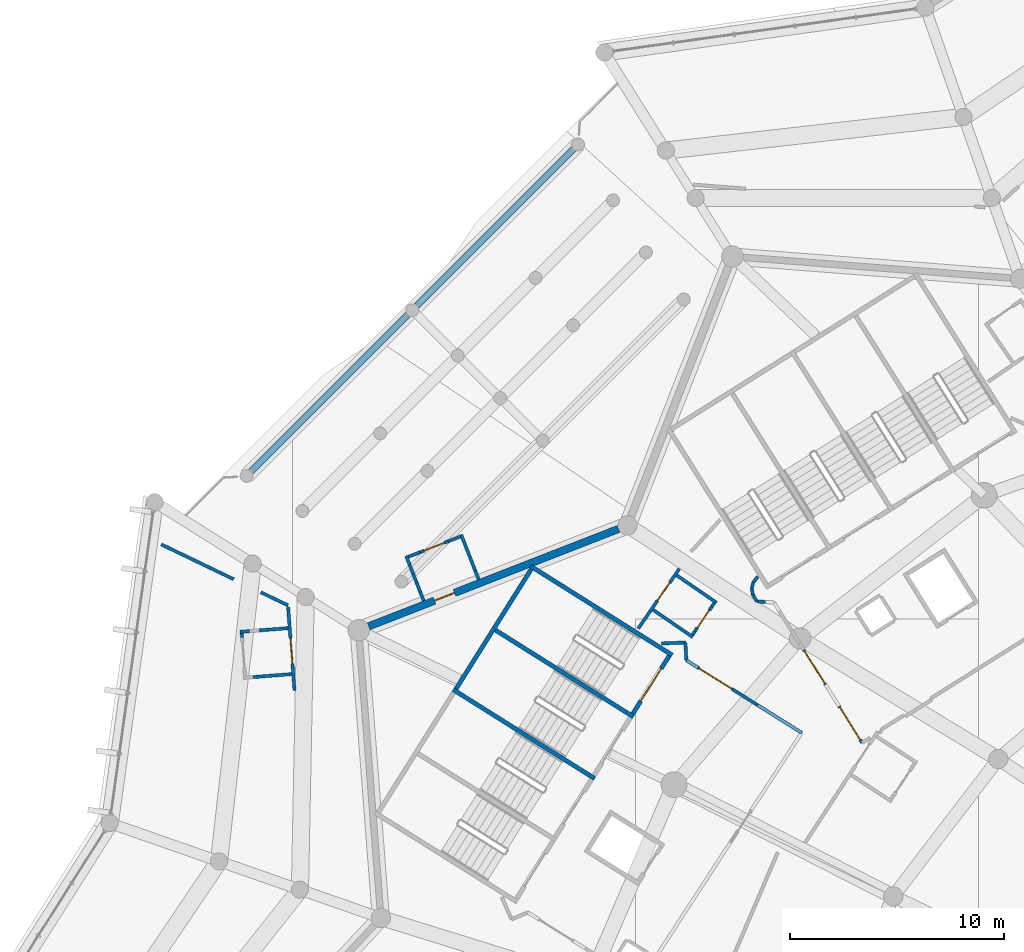
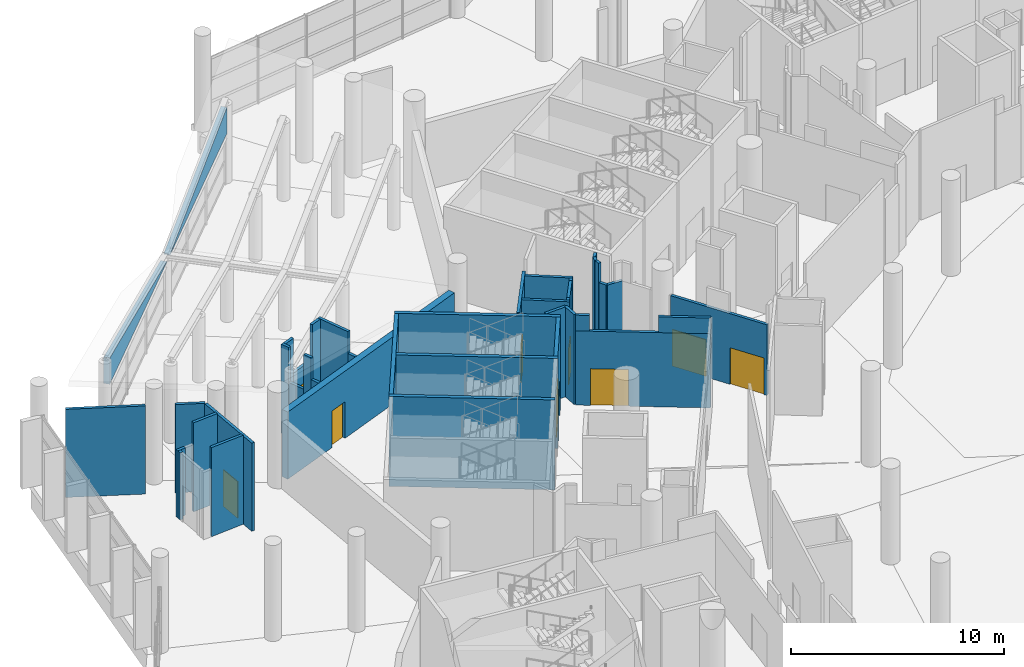
# One storey, part 184 of 271: 42 walls, 9 doors, 9 openings.
"""IFC4 building model written with IfcOpenShell, lengths in metres."""

from ifc_helpers import new_model, si_unit, direction, frame, frame_2d, origin, place, context, subcontext, project, spatial, polyline, rectangle, outline, extrude, material, layer, layer_set, type_object, element, fill, save


model = new_model("IFC4")

# Units and contexts
model_context = context("Model", 3, precision=1e-05, world=origin(), true_north=direction((0.0, 1.0)))
body_context = subcontext(model_context, "Body", "Model", "MODEL_VIEW")
ifc_project = project(units=[si_unit("LENGTHUNIT", "METRE"), si_unit("AREAUNIT", "SQUARE_METRE"), si_unit("VOLUMEUNIT", "CUBIC_METRE"), si_unit("PLANEANGLEUNIT", "RADIAN"), si_unit("MASSUNIT", "GRAM", prefix="KILO")], contexts=[model_context])

# Site, building, storey
site_placement = place(None, origin())
site = spatial("IfcSite", under=ifc_project, at=site_placement, CompositionType="ELEMENT")
building_placement = place(site_placement, origin())
building = spatial("IfcBuilding", under=site, at=building_placement, Name="Meseta Stadium", CompositionType="ELEMENT")
storey_placement = place(building_placement, frame((0.0, 0.0, 6.5)))
storey = spatial("IfcBuildingStorey", under=building, at=storey_placement, Name="L01", CompositionType="ELEMENT", Elevation=6.5)

# Walls
ifc_material_1 = material(Name="Concrete C40/50", Category="concrete")
ifc_layer_1 = layer(ifc_material_1, 0.199951171875)
ifc_layer_set_1 = layer_set([ifc_layer_1], Name="Core divider wall 200")
wall_type_1 = type_object("IfcWallType", Name="Core divider wall 200", PredefinedType="SHEAR", material=ifc_layer_set_1)
wall_1_placement = place(storey_placement, frame((-86.696533203125, 79.5869140625, 0.0), z_axis=(0.0, 0.0, 1.0), x_axis=(0.846713903605, -0.532048461553, 0.0)))
element("IfcWall", 1, at=wall_1_placement, inside=storey, type_object=wall_type_1, Name="Core 14 L01 stair A divider wall", PredefinedType="SHEAR", context=body_context, shape_type="SweptSolid", body=[
    extrude(rectangle(XDim=7.7998046875, YDim=0.199951171875, at=frame_2d((3.89990234375, 0.0))), origin(), (0.0, 0.0, 1.0), 5.14990234375),
])
ifc_material_2 = material(Name="Concrete C40/50", Category="concrete")
ifc_layer_2 = layer(ifc_material_2, 0.199951171875)
ifc_layer_set_2 = layer_set([ifc_layer_2], Name="Core shaft wall 200")
wall_type_2 = type_object("IfcWallType", Name="Core shaft wall 200", PredefinedType="SHEAR", material=ifc_layer_set_2)
for number, where, z_axis, x_axis, name in (
    (2, (-84.8876953125, 82.4658203125, 0.0), (0.0, 0.0, 1.0), (0.846722763703, -0.532034361135, 0.0), "Core 14 L01 stair wall A-side"),
    (3, (-88.505615234375, 76.7080078125, 0.0), (0.0, 0.0, 1.0), (0.846722763703, -0.532034361135, 0.0), "Core 14 L01 stair wall shared"),
):
    element("IfcWall", number, at=place(storey_placement, frame(where, z_axis=z_axis, x_axis=x_axis)), inside=storey, type_object=wall_type_2, Name=name, PredefinedType="SHEAR", context=body_context, shape_type="SweptSolid", body=[
        extrude(rectangle(XDim=7.800048828125, YDim=0.199951171875, at=frame_2d((3.89990234375, 0.0))), origin(), (0.0, 0.0, 1.0), 5.14990234375),
    ])
wall_2_placement = place(storey_placement, frame((-84.856201171875, 82.327880859375, 0.0), z_axis=(0.0, 0.0, 1.0), x_axis=(-0.532038964807, -0.846719870989, 0.0)))
element("IfcWall", 4, at=wall_2_placement, inside=storey, type_object=wall_type_2, Name="Core 14 L01 stair A outer end wall", PredefinedType="SHEAR", context=body_context, shape_type="SweptSolid", body=[
    extrude(rectangle(XDim=6.60009765625, YDim=0.199951171875, at=frame_2d((3.300048828125, 0.0))), origin(), (0.0, 0.0, 1.0), 5.14990234375),
])

# Wall, opening, door
wall_3_placement = place(storey_placement, frame((-78.421142578125, 78.284423828125, 0.0), z_axis=(0.0, 0.0, 1.0), x_axis=(-0.53206841829, -0.84670136309, 0.0)))
wall_3 = element("IfcWall", 5, at=wall_3_placement, inside=storey, type_object=wall_type_2, Name="Core 14 L01 stair A1 inner end wall", PredefinedType="SHEAR", context=body_context, shape_type="SweptSolid", body=[
    extrude(rectangle(XDim=3.199951171875, YDim=0.199951171875, at=frame_2d((1.60009765625, 0.0))), origin(), (0.0, 0.0, 1.0), 5.14990234375),
])
opening_1_placement = place(wall_3_placement, frame((0.699951171875, 0.0, 0.0)))
opening_1 = element("IfcOpeningElement", 6, at=opening_1_placement, cuts=wall_3, Name="Opening D195", PredefinedType="OPENING", context=body_context, shape_type="SweptSolid", body=[
    extrude(rectangle(XDim=1.800048828125, YDim=2.10009765625, at=frame_2d((0.89990234375, 1.050048828125))), frame((0.0, 0.10986328125, 0.0), z_axis=(0.0, -1.0, 0.0), x_axis=(1.0, 0.0, 0.0)), (0.0, 0.0, 1.0), 0.219970703125),
])
ifc_material_3 = material(Name="Steel", Category="steel")
door_type_1 = type_object("IfcDoorType", Name="Stair door 1800x2100", OperationType="DOUBLE_DOOR_SINGLE_SWING", PredefinedType="DOOR", material=ifc_material_3)
door_1_placement = place(opening_1_placement, origin())
door_1 = element("IfcDoor", 7, at=door_1_placement, inside=storey, type_object=door_type_1, Name="Stair A1 door 14 L01", OperationType="DOUBLE_DOOR_SINGLE_SWING", OverallHeight=2.10009765625, OverallWidth=1.800048828125, PredefinedType="DOOR", context=body_context, shape_type="SweptSolid", body=[
    extrude(rectangle(XDim=1.800048828125, YDim=2.10009765625, at=frame_2d((0.89990234375, 1.050048828125))), frame((0.0, 0.02490234375, 0.0), z_axis=(0.0, -1.0, 0.0), x_axis=(1.0, 0.0, 0.0)), (0.0, 0.0, 1.0), 0.050048828125),
])
fill(opening_1, door_1)

# Walls
ifc_material_4 = material(Name="Precast concrete C40/50", Category="concrete")
ifc_layer_3 = layer(ifc_material_4, 0.300048828125)
ifc_layer_set_3 = layer_set([ifc_layer_3], Name="Gate facade panel wall 300")
wall_type_3 = type_object("IfcWallType", Name="Gate facade panel wall 300", PredefinedType="SOLIDWALL", material=ifc_layer_set_3)
wall_4_placement = place(storey_placement, frame((-82.88720703125, 101.925537109375, 2.924560546875), z_axis=(0.0, 0.0, 1.0), x_axis=(-0.707094968215, -0.707118593961, 0.0)))
element("IfcWall", 8, at=wall_4_placement, inside=storey, type_object=wall_type_3, Name="Gate 4 gable panel wall", PredefinedType="SOLIDWALL", context=body_context, shape_type="SweptSolid", body=[
    extrude(outline(polyline([(0.0, 0.0), (10.333740234375, 0.0), (10.333740234375, 0.052001953125), (0.0, 1.498779296875), (0.0, 0.0)])), frame((0.0, 0.14990234375, 0.0), z_axis=(0.0, -1.0, 0.0), x_axis=(1.0, 0.0, 0.0)), (0.0, 0.0, 1.0), 0.300048828125),
])
wall_5_placement = place(storey_placement, frame((-90.618408203125, 94.194091796875, 2.924560546875), z_axis=(0.0, 0.0, 1.0), x_axis=(-0.707118593961, -0.707094968215, 0.0)))
element("IfcWall", 9, at=wall_5_placement, inside=storey, type_object=wall_type_3, Name="Gate 4 gable panel wall", PredefinedType="SOLIDWALL", context=body_context, shape_type="SweptSolid", body=[
    extrude(outline(polyline([(0.0, 0.0), (10.333740234375, 0.0), (10.333740234375, 1.498779296875), (0.0, 0.052001953125), (0.0, 0.0)])), frame((0.0, 0.14990234375, 0.0), z_axis=(0.0, -1.0, 0.0), x_axis=(1.0, 0.0, 0.0)), (0.0, 0.0, 1.0), 0.300048828125),
])

# Wall, opening, door
ifc_material_5 = material(Name="Masonry blockwork", Category="masonry")
ifc_layer_4 = layer(ifc_material_5, 0.14990234375)
ifc_layer_set_4 = layer_set([ifc_layer_4], Name="Partition 150")
wall_type_4 = type_object("IfcWallType", Name="Partition 150", PredefinedType="PARTITIONING", material=ifc_layer_set_4)
wall_6_placement = place(storey_placement, frame((-77.948974609375, 82.345703125, 0.0), z_axis=(0.0, 0.0, 1.0), x_axis=(-0.565957595718, -0.824434351449, 0.0)))
wall_6 = element("IfcWall", 10, at=wall_6_placement, inside=storey, type_object=wall_type_4, Name="Partition L01 L01-cell12-2-0", PredefinedType="PARTITIONING", context=body_context, shape_type="SweptSolid", body=[
    extrude(rectangle(XDim=3.392822265625, YDim=0.14990234375, at=frame_2d((1.6962890625, 0.0))), origin(), (0.0, 0.0, 1.0), 5.14990234375),
])
opening_2_placement = place(wall_6_placement, frame((0.800048828125, 0.0, 0.0)))
opening_2 = element("IfcOpeningElement", 11, at=opening_2_placement, cuts=wall_6, Name="Opening D657", PredefinedType="OPENING", context=body_context, shape_type="SweptSolid", body=[
    extrude(rectangle(XDim=1.0, YDim=2.10009765625, at=frame_2d((0.5, 1.050048828125))), frame((0.0, 0.0849609375, 0.0), z_axis=(0.0, -1.0, 0.0), x_axis=(1.0, 0.0, 0.0)), (0.0, 0.0, 1.0), 0.169921875),
])
ifc_material_6 = material(Name="Steel", Category="steel")
door_type_2 = type_object("IfcDoorType", Name="Fire door 1000x2100 EI2 60", OperationType="NOTDEFINED", PredefinedType="DOOR", material=ifc_material_6)
door_2_placement = place(opening_2_placement, origin())
door_2 = element("IfcDoor", 12, at=door_2_placement, inside=storey, type_object=door_type_2, Name="Door D657", OperationType="SINGLE_SWING_LEFT", OverallHeight=2.10009765625, OverallWidth=1.0, PredefinedType="DOOR", context=body_context, shape_type="SweptSolid", body=[
    extrude(rectangle(XDim=1.0, YDim=2.10009765625, at=frame_2d((0.5, 1.050048828125))), frame((0.0, 0.02490234375, 0.0), z_axis=(0.0, -1.0, 0.0), x_axis=(1.0, 0.0, 0.0)), (0.0, 0.0, 1.0), 0.050048828125),
])
fill(opening_2, door_2)

# Walls
wall_7_placement = place(storey_placement, frame((-102.117919921875, 83.479248046875, 0.0), z_axis=(0.0, 0.0, 1.0), x_axis=(0.901188323719, -0.433427739298, 0.0)))
element("IfcWall", 13, at=wall_7_placement, inside=storey, type_object=wall_type_4, Name="Partition L01 L01-ring13-0", PredefinedType="PARTITIONING", context=body_context, shape_type="SweptSolid", body=[
    extrude(rectangle(XDim=3.74755859375, YDim=0.14990234375, at=frame_2d((1.873779296875, 0.0))), origin(), (0.0, 0.0, 1.0), 5.050048828125),
])
wall_8_placement = place(storey_placement, frame((-97.47412109375, 81.245849609375, 0.0), z_axis=(0.0, 0.0, 1.0), x_axis=(0.901167600811, -0.433470823988, 0.0)))
element("IfcWall", 14, at=wall_8_placement, inside=storey, type_object=wall_type_4, Name="Partition L01 L01-ring13-0", PredefinedType="PARTITIONING", context=body_context, shape_type="SweptSolid", body=[
    extrude(rectangle(XDim=1.4052734375, YDim=0.14990234375, at=frame_2d((0.70263671875, 0.0))), origin(), (0.0, 0.0, 1.0), 5.050048828125),
])

# Wall, opening, door
wall_9_placement = place(storey_placement, frame((-96.201171875, 80.55029296875, 0.0), z_axis=(0.0, 0.0, 1.0), x_axis=(0.076969034149, -0.997033483782, 0.0)))
wall_9 = element("IfcWall", 15, at=wall_9_placement, inside=storey, type_object=wall_type_4, Name="Partition L01 L01-ring13-0", PredefinedType="PARTITIONING", context=body_context, shape_type="SweptSolid", body=[
    extrude(rectangle(XDim=3.904541015625, YDim=0.14990234375, at=frame_2d((1.9521484375, 0.0))), origin(), (0.0, 0.0, 1.0), 5.050048828125),
])
opening_3_placement = place(wall_9_placement, frame((1.449951171875, 0.0, 0.0)))
opening_3 = element("IfcOpeningElement", 16, at=opening_3_placement, cuts=wall_9, Name="Opening D694", PredefinedType="OPENING", context=body_context, shape_type="SweptSolid", body=[
    extrude(rectangle(XDim=1.199951171875, YDim=2.10009765625, at=frame_2d((0.60009765625, 1.050048828125))), frame((0.0, 0.0849609375, 0.0), z_axis=(0.0, -1.0, 0.0), x_axis=(1.0, 0.0, 0.0)), (0.0, 0.0, 1.0), 0.169921875),
])
ifc_material_7 = material(Name="Steel", Category="steel")
door_type_3 = type_object("IfcDoorType", Name="Fire door 1200x2100 EI2 60", OperationType="NOTDEFINED", PredefinedType="DOOR", material=ifc_material_7)
door_3_placement = place(opening_3_placement, origin())
door_3 = element("IfcDoor", 17, at=door_3_placement, inside=storey, type_object=door_type_3, Name="Door D694", OperationType="SINGLE_SWING_RIGHT", OverallHeight=2.10009765625, OverallWidth=1.199951171875, PredefinedType="DOOR", context=body_context, shape_type="SweptSolid", body=[
    extrude(rectangle(XDim=1.199951171875, YDim=2.10009765625, at=frame_2d((0.60009765625, 1.050048828125))), frame((0.0, 0.02490234375, 0.0), z_axis=(0.0, -1.0, 0.0), x_axis=(1.0, 0.0, 0.0)), (0.0, 0.0, 1.0), 0.050048828125),
])
fill(opening_3, door_3)

# Walls
wall_10_placement = place(storey_placement, frame((-74.288818359375, 81.979736328125, 0.0), z_axis=(0.0, 0.0, 1.0), x_axis=(-0.609611338379, -0.792700458004, 0.0)))
element("IfcWall", 18, at=wall_10_placement, inside=storey, type_object=wall_type_4, Name="Stair vestibule wall L01 core 13", PredefinedType="PARTITIONING", context=body_context, shape_type="SweptSolid", body=[
    extrude(rectangle(XDim=0.35595703125, YDim=0.14990234375, at=frame_2d((0.177978515625, 0.0))), origin(), (0.0, 0.0, 1.0), 5.14990234375),
])
wall_11_placement = place(storey_placement, frame((-74.505859375, 81.697509765625, 0.0), z_axis=(0.0, 0.0, 1.0), x_axis=(-0.22210291642, -0.975023227681, 0.0)))
element("IfcWall", 19, at=wall_11_placement, inside=storey, type_object=wall_type_4, Name="Stair vestibule wall L01 core 13", PredefinedType="PARTITIONING", context=body_context, shape_type="SweptSolid", body=[
    extrude(rectangle(XDim=0.28466796875, YDim=0.14990234375, at=frame_2d((0.142333984375, 0.0))), origin(), (0.0, 0.0, 1.0), 5.14990234375),
])
wall_12_placement = place(storey_placement, frame((-74.569091796875, 81.419921875, 0.0), z_axis=(0.0, 0.0, 1.0), x_axis=(0.166082011564, -0.986111943663, 0.0)))
element("IfcWall", 20, at=wall_12_placement, inside=storey, type_object=wall_type_4, Name="Stair vestibule wall L01 core 13", PredefinedType="PARTITIONING", context=body_context, shape_type="SweptSolid", body=[
    extrude(rectangle(XDim=0.2822265625, YDim=0.14990234375, at=frame_2d((0.14111328125, 0.0))), origin(), (0.0, 0.0, 1.0), 5.14990234375),
])
wall_13_placement = place(storey_placement, frame((-74.522216796875, 81.1416015625, 0.0), z_axis=(0.0, 0.0, 1.0), x_axis=(0.499215914633, -0.866477622664, 0.0)))
element("IfcWall", 21, at=wall_13_placement, inside=storey, type_object=wall_type_4, Name="Stair vestibule wall L01 core 13", PredefinedType="PARTITIONING", context=body_context, shape_type="SweptSolid", body=[
    extrude(rectangle(XDim=0.37548828125, YDim=0.14990234375, at=frame_2d((0.187744140625, 0.0))), origin(), (0.0, 0.0, 1.0), 4.050048828125),
])
wall_14_placement = place(storey_placement, frame((-74.334716796875, 80.816162109375, 0.0), z_axis=(0.0, 0.0, 1.0), x_axis=(0.998641436445, -0.052108362245, 0.0)))
element("IfcWall", 22, at=wall_14_placement, inside=storey, type_object=wall_type_4, Name="Stair vestibule wall L01 core 13", PredefinedType="PARTITIONING", context=body_context, shape_type="SweptSolid", body=[
    extrude(rectangle(XDim=0.79638671875, YDim=0.14990234375, at=frame_2d((0.398193359375, 0.0))), origin(), (0.0, 0.0, 1.0), 4.050048828125),
])

# Wall, openings, doors
wall_15_placement = place(storey_placement, frame((-72.142822265625, 78.55224609375, 0.0), z_axis=(0.0, 0.0, 1.0), x_axis=(0.532063867314, -0.846704222913, 0.0)))
wall_15 = element("IfcWall", 23, at=wall_15_placement, inside=storey, type_object=wall_type_4, Name="Stair vestibule wall L01 core 13", PredefinedType="PARTITIONING", context=body_context, shape_type="SweptSolid", body=[
    extrude(rectangle(XDim=5.10791015625, YDim=0.14990234375, at=frame_2d((2.553955078125, 0.0))), origin(), (0.0, 0.0, 1.0), 4.050048828125),
])
opening_4_placement = place(wall_15_placement, frame((3.14990234375, 0.0, 0.0)))
opening_4 = element("IfcOpeningElement", 24, at=opening_4_placement, cuts=wall_15, Name="Opening D774", PredefinedType="OPENING", context=body_context, shape_type="SweptSolid", body=[
    extrude(rectangle(XDim=1.800048828125, YDim=2.10009765625, at=frame_2d((0.89990234375, 1.050048828125))), frame((0.0, 0.0849609375, 0.0), z_axis=(0.0, -1.0, 0.0), x_axis=(1.0, 0.0, 0.0)), (0.0, 0.0, 1.0), 0.169921875),
])
opening_5_placement = place(wall_15_placement, frame((0.050048828125, 0.0, 0.0)))
opening_5 = element("IfcOpeningElement", 25, at=opening_5_placement, cuts=wall_15, Name="Opening D775", PredefinedType="OPENING", context=body_context, shape_type="SweptSolid", body=[
    extrude(rectangle(XDim=1.800048828125, YDim=2.10009765625, at=frame_2d((0.89990234375, 1.050048828125))), frame((0.0, 0.0849609375, 0.0), z_axis=(0.0, -1.0, 0.0), x_axis=(1.0, 0.0, 0.0)), (0.0, 0.0, 1.0), 0.169921875),
])
ifc_material_8 = material(Name="Steel", Category="steel")
door_type_4 = type_object("IfcDoorType", Name="Fire double door 1800x2100 EI2 60", OperationType="DOUBLE_DOOR_SINGLE_SWING", PredefinedType="DOOR", material=ifc_material_8)
door_4_placement = place(opening_4_placement, origin())
door_4 = element("IfcDoor", 26, at=door_4_placement, inside=storey, type_object=door_type_4, Name="Stair vestibule door L01 core 13", OperationType="DOUBLE_DOOR_SINGLE_SWING", OverallHeight=2.10009765625, OverallWidth=1.800048828125, PredefinedType="DOOR", context=body_context, shape_type="SweptSolid", body=[
    extrude(rectangle(XDim=1.800048828125, YDim=2.10009765625, at=frame_2d((0.89990234375, 1.050048828125))), frame((0.0, 0.02490234375, 0.0), z_axis=(0.0, -1.0, 0.0), x_axis=(1.0, 0.0, 0.0)), (0.0, 0.0, 1.0), 0.050048828125),
])
fill(opening_4, door_4)
door_5_placement = place(opening_5_placement, origin())
door_5 = element("IfcDoor", 27, at=door_5_placement, inside=storey, type_object=door_type_4, Name="Stair vestibule door L01 core 13", OperationType="DOUBLE_DOOR_SINGLE_SWING", OverallHeight=2.10009765625, OverallWidth=1.800048828125, PredefinedType="DOOR", context=body_context, shape_type="SweptSolid", body=[
    extrude(rectangle(XDim=1.800048828125, YDim=2.10009765625, at=frame_2d((0.89990234375, 1.050048828125))), frame((0.0, 0.02490234375, 0.0), z_axis=(0.0, -1.0, 0.0), x_axis=(1.0, 0.0, 0.0)), (0.0, 0.0, 1.0), 0.050048828125),
])
fill(opening_5, door_5)

# Wall, opening, door
wall_16_placement = place(storey_placement, frame((-72.239990234375, 74.68994140625, 0.0), z_axis=(0.0, 0.0, 1.0), x_axis=(-0.846711707984, 0.532051955699, 0.0)))
wall_16 = element("IfcWall", 28, at=wall_16_placement, inside=storey, type_object=wall_type_4, Name="Stair vestibule wall L01 core 14", PredefinedType="PARTITIONING", context=body_context, shape_type="SweptSolid", body=[
    extrude(rectangle(XDim=6.355224609375, YDim=0.14990234375, at=frame_2d((3.177734375, 0.0))), origin(), (0.0, 0.0, 1.0), 4.25),
])
opening_6_placement = place(wall_16_placement, frame((3.85009765625, 0.0, 0.0)))
opening_6 = element("IfcOpeningElement", 29, at=opening_6_placement, cuts=wall_16, Name="Opening D778", PredefinedType="OPENING", context=body_context, shape_type="SweptSolid", body=[
    extrude(rectangle(XDim=1.800048828125, YDim=2.10009765625, at=frame_2d((0.89990234375, 1.050048828125))), frame((0.0, 0.0849609375, 0.0), z_axis=(0.0, -1.0, 0.0), x_axis=(1.0, 0.0, 0.0)), (0.0, 0.0, 1.0), 0.169921875),
])
door_6_placement = place(opening_6_placement, origin())
door_6 = element("IfcDoor", 30, at=door_6_placement, inside=storey, type_object=door_type_4, Name="Stair vestibule door L01 core 14", OperationType="DOUBLE_DOOR_SINGLE_SWING", OverallHeight=2.10009765625, OverallWidth=1.800048828125, PredefinedType="DOOR", context=body_context, shape_type="SweptSolid", body=[
    extrude(rectangle(XDim=1.800048828125, YDim=2.10009765625, at=frame_2d((0.89990234375, 1.050048828125))), frame((0.0, 0.02490234375, 0.0), z_axis=(0.0, -1.0, 0.0), x_axis=(1.0, 0.0, 0.0)), (0.0, 0.0, 1.0), 0.050048828125),
])
fill(opening_6, door_6)

# Walls
wall_17_placement = place(storey_placement, frame((-72.239990234375, 74.68994140625, 4.25), z_axis=(0.0, 0.0, 1.0), x_axis=(-0.846727819647, 0.532026314609, 0.0)))
element("IfcWall", 31, at=wall_17_placement, inside=storey, type_object=wall_type_4, Name="Stair vestibule wall L01 core 14", PredefinedType="PARTITIONING", context=body_context, shape_type="SweptSolid", body=[
    extrude(rectangle(XDim=2.444580078125, YDim=0.14990234375, at=frame_2d((1.22216796875, 0.0))), origin(), (0.0, 0.0, 1.0), 0.89990234375),
])
wall_18_placement = place(storey_placement, frame((-77.06640625, 77.722412109375, 4.25), z_axis=(0.0, 0.0, 1.0), x_axis=(-0.846487835431, 0.532408061985, 0.0)))
element("IfcWall", 32, at=wall_18_placement, inside=storey, type_object=wall_type_4, Name="Stair vestibule wall L01 core 14", PredefinedType="PARTITIONING", context=body_context, shape_type="SweptSolid", body=[
    extrude(rectangle(XDim=0.6552734375, YDim=0.14990234375, at=frame_2d((0.32763671875, 0.0))), origin(), (0.0, 0.0, 1.0), 0.89990234375),
])
wall_19_placement = place(storey_placement, frame((-77.62109375, 78.0712890625, 0.0), z_axis=(0.0, 0.0, 1.0), x_axis=(-0.052666933407, 0.998612133977, 0.0)))
element("IfcWall", 33, at=wall_19_placement, inside=storey, type_object=wall_type_4, Name="Stair vestibule wall L01 core 14", PredefinedType="PARTITIONING", context=body_context, shape_type="SweptSolid", body=[
    extrude(rectangle(XDim=0.829833984375, YDim=0.14990234375, at=frame_2d((0.4150390625, 0.0))), origin(), (0.0, 0.0, 1.0), 5.14990234375),
])
wall_20_placement = place(storey_placement, frame((-77.664794921875, 78.89990234375, 0.0), z_axis=(0.0, 0.0, 1.0), x_axis=(-0.999353998407, -0.035938640324, 0.0)))
element("IfcWall", 34, at=wall_20_placement, inside=storey, type_object=wall_type_4, Name="Stair vestibule wall L01 core 14", PredefinedType="PARTITIONING", context=body_context, shape_type="SweptSolid", body=[
    extrude(rectangle(XDim=1.127685546875, YDim=0.14990234375, at=frame_2d((0.56396484375, 0.0))), origin(), (0.0, 0.0, 1.0), 5.14990234375),
])
wall_21_placement = place(storey_placement, frame((-89.87451171875, 80.845458984375, 0.0), z_axis=(0.0, 0.0, 1.0), x_axis=(-0.363519516803, 0.931586582612, 0.0)))
element("IfcWall", 35, at=wall_21_placement, inside=storey, type_object=wall_type_4, Name="Partition L01 G4-L01-0-GateLounge-0 vestibule", PredefinedType="PARTITIONING", context=body_context, shape_type="SweptSolid", body=[
    extrude(rectangle(XDim=0.449951171875, YDim=0.14990234375, at=frame_2d((0.22509765625, 0.0))), origin(), (0.0, 0.0, 1.0), 3.85009765625),
])
wall_22_placement = place(storey_placement, frame((-90.0380859375, 81.2646484375, 0.0), z_axis=(0.0, 0.0, 1.0), x_axis=(-0.363519516803, 0.931586582612, 0.0)))
element("IfcWall", 36, at=wall_22_placement, inside=storey, type_object=wall_type_4, Name="Partition L01 G4-L01-0-GateLounge-0 vestibule", PredefinedType="PARTITIONING", context=body_context, shape_type="SweptSolid", body=[
    extrude(rectangle(XDim=0.449951171875, YDim=0.14990234375, at=frame_2d((0.22509765625, 0.0))), origin(), (0.0, 0.0, 1.0), 5.10009765625),
])
wall_23_placement = place(storey_placement, frame((-90.20166015625, 81.683837890625, 0.0), z_axis=(0.0, 0.0, 1.0), x_axis=(-0.3630485093, 0.931770239863, 0.0)))
element("IfcWall", 37, at=wall_23_placement, inside=storey, type_object=wall_type_4, Name="Partition L01 G4-L01-0-GateLounge-0 vestibule", PredefinedType="PARTITIONING", context=body_context, shape_type="SweptSolid", body=[
    extrude(rectangle(XDim=0.449951171875, YDim=0.14990234375, at=frame_2d((0.22509765625, 0.0))), origin(), (0.0, 0.0, 1.0), 3.106689453125),
])
wall_24_placement = place(storey_placement, frame((-90.364990234375, 82.10302734375, 0.0), z_axis=(0.0, 0.0, 1.0), x_axis=(-0.363335862493, 0.931658226512, 0.0)))
element("IfcWall", 38, at=wall_24_placement, inside=storey, type_object=wall_type_4, Name="Partition L01 G4-L01-0-GateLounge-0 vestibule", PredefinedType="PARTITIONING", context=body_context, shape_type="SweptSolid", body=[
    extrude(rectangle(XDim=0.4501953125, YDim=0.14990234375, at=frame_2d((0.22509765625, 0.0))), origin(), (0.0, 0.0, 1.0), 3.106689453125),
])
wall_25_placement = place(storey_placement, frame((-90.528564453125, 82.5224609375, 0.0), z_axis=(0.0, 0.0, 1.0), x_axis=(-0.3630485093, 0.931770239863, 0.0)))
element("IfcWall", 39, at=wall_25_placement, inside=storey, type_object=wall_type_4, Name="Partition L01 G4-L01-0-GateLounge-0 vestibule", PredefinedType="PARTITIONING", context=body_context, shape_type="SweptSolid", body=[
    extrude(rectangle(XDim=0.449951171875, YDim=0.14990234375, at=frame_2d((0.22509765625, 0.0))), origin(), (0.0, 0.0, 1.0), 5.10009765625),
])
wall_26_placement = place(storey_placement, frame((-87.3125, 81.844482421875, 0.0), z_axis=(0.0, 0.0, 1.0), x_axis=(-0.363519516803, 0.931586582612, 0.0)))
element("IfcWall", 40, at=wall_26_placement, inside=storey, type_object=wall_type_4, Name="Partition L01 G4-L01-0-GateLounge-0 vestibule", PredefinedType="PARTITIONING", context=body_context, shape_type="SweptSolid", body=[
    extrude(rectangle(XDim=0.449951171875, YDim=0.14990234375, at=frame_2d((0.22509765625, 0.0))), origin(), (0.0, 0.0, 1.0), 3.85009765625),
])
wall_27_placement = place(storey_placement, frame((-87.47607421875, 82.263671875, 0.0), z_axis=(0.0, 0.0, 1.0), x_axis=(-0.363238138914, 0.931696331665, 0.0)))
element("IfcWall", 41, at=wall_27_placement, inside=storey, type_object=wall_type_4, Name="Partition L01 G4-L01-0-GateLounge-0 vestibule", PredefinedType="PARTITIONING", context=body_context, shape_type="SweptSolid", body=[
    extrude(rectangle(XDim=1.800048828125, YDim=0.14990234375, at=frame_2d((0.89990234375, 0.0))), origin(), (0.0, 0.0, 1.0), 5.10009765625),
])
wall_28_placement = place(storey_placement, frame((-88.172607421875, 83.843505859375, 0.0), z_axis=(0.0, 0.0, 1.0), x_axis=(-0.93161459523, -0.363447721075, 0.0)))
element("IfcWall", 42, at=wall_28_placement, inside=storey, type_object=wall_type_4, Name="Partition L01 G4-L01-0-GateLounge-0 vestibule", PredefinedType="PARTITIONING", context=body_context, shape_type="SweptSolid", body=[
    extrude(rectangle(XDim=0.599853515625, YDim=0.14990234375, at=frame_2d((0.2998046875, 0.0))), origin(), (0.0, 0.0, 1.0), 5.10009765625),
])

# Wall, opening, door
wall_29_placement = place(storey_placement, frame((-88.7314453125, 83.62548828125, 0.0), z_axis=(0.0, 0.0, 1.0), x_axis=(-0.93170000014, -0.363228729233, 0.0)))
wall_29 = element("IfcWall", 43, at=wall_29_placement, inside=storey, type_object=wall_type_4, Name="Partition L01 G4-L01-0-GateLounge-0 vestibule", PredefinedType="PARTITIONING", context=body_context, shape_type="SweptSolid", body=[
    extrude(rectangle(XDim=1.400146484375, YDim=0.14990234375, at=frame_2d((0.7001953125, 0.0))), origin(), (0.0, 0.0, 1.0), 3.106689453125),
])
opening_7_placement = place(wall_29_placement, frame((0.199951171875, 0.0, 0.0)))
opening_7 = element("IfcOpeningElement", 44, at=opening_7_placement, cuts=wall_29, Name="Opening D815", PredefinedType="OPENING", context=body_context, shape_type="SweptSolid", body=[
    extrude(rectangle(XDim=1.0, YDim=2.10009765625, at=frame_2d((0.5, 1.050048828125))), frame((0.0, 0.0849609375, 0.0), z_axis=(0.0, -1.0, 0.0), x_axis=(1.0, 0.0, 0.0)), (0.0, 0.0, 1.0), 0.169921875),
])
door_7_placement = place(opening_7_placement, origin())
door_7 = element("IfcDoor", 45, at=door_7_placement, inside=storey, type_object=door_type_2, Name="Vestibule door L01 G4-L01-0-GateLounge-0", OperationType="SINGLE_SWING_RIGHT", OverallHeight=2.10009765625, OverallWidth=1.0, PredefinedType="DOOR", context=body_context, shape_type="SweptSolid", body=[
    extrude(rectangle(XDim=1.0, YDim=2.10009765625, at=frame_2d((0.5, 1.050048828125))), frame((0.0, 0.02490234375, 0.0), z_axis=(0.0, -1.0, 0.0), x_axis=(1.0, 0.0, 0.0)), (0.0, 0.0, 1.0), 0.050048828125),
])
fill(opening_7, door_7)

# Walls
wall_30_placement = place(storey_placement, frame((-90.035888671875, 83.116943359375, 0.0), z_axis=(0.0, 0.0, 1.0), x_axis=(-0.931668326541, -0.363309963145, 0.0)))
element("IfcWall", 46, at=wall_30_placement, inside=storey, type_object=wall_type_4, Name="Partition L01 G4-L01-0-GateLounge-0 vestibule", PredefinedType="PARTITIONING", context=body_context, shape_type="SweptSolid", body=[
    extrude(rectangle(XDim=0.60009765625, YDim=0.14990234375, at=frame_2d((0.300048828125, 0.0))), origin(), (0.0, 0.0, 1.0), 5.10009765625),
])
wall_31_placement = place(storey_placement, frame((-78.071044921875, 82.035400390625, 0.0), z_axis=(0.0, 0.0, 1.0), x_axis=(0.824377350286, -0.566040620748, 0.0)))
element("IfcWall", 47, at=wall_31_placement, inside=storey, type_object=wall_type_4, Name="Partition L01 L01-cell12-2-0 vestibule", PredefinedType="PARTITIONING", context=body_context, shape_type="SweptSolid", body=[
    extrude(rectangle(XDim=2.250244140625, YDim=0.14990234375, at=frame_2d((1.125, 0.0))), origin(), (0.0, 0.0, 1.0), 5.14990234375),
])
wall_32_placement = place(storey_placement, frame((-79.1748046875, 80.427734375, 0.0), z_axis=(0.0, 0.0, 1.0), x_axis=(0.824427979221, -0.565966878075, 0.0)))
element("IfcWall", 48, at=wall_32_placement, inside=storey, type_object=wall_type_4, Name="Partition L01 L01-cell12-2-0 vestibule", PredefinedType="PARTITIONING", context=body_context, shape_type="SweptSolid", body=[
    extrude(rectangle(XDim=2.25, YDim=0.14990234375, at=frame_2d((1.125, 0.0))), origin(), (0.0, 0.0, 1.0), 5.14990234375),
])
wall_33_placement = place(storey_placement, frame((-76.3203125, 80.742431640625, 0.0), z_axis=(0.0, 0.0, 1.0), x_axis=(-0.566477008266, -0.824077544352, 0.0)))
element("IfcWall", 49, at=wall_33_placement, inside=storey, type_object=wall_type_4, Name="Partition L01 L01-cell12-2-0 vestibule", PredefinedType="PARTITIONING", context=body_context, shape_type="SweptSolid", body=[
    extrude(rectangle(XDim=0.199951171875, YDim=0.14990234375, at=frame_2d((0.10009765625, 0.0))), origin(), (0.0, 0.0, 1.0), 5.14990234375),
])

# Wall, opening, door
wall_34_placement = place(storey_placement, frame((-76.43359375, 80.57763671875, 0.0), z_axis=(0.0, 0.0, 1.0), x_axis=(-0.56587736417, -0.824489423049, 0.0)))
wall_34 = element("IfcWall", 50, at=wall_34_placement, inside=storey, type_object=wall_type_4, Name="Partition L01 L01-cell12-2-0 vestibule", PredefinedType="PARTITIONING", context=body_context, shape_type="SweptSolid", body=[
    extrude(rectangle(XDim=1.39990234375, YDim=0.14990234375, at=frame_2d((0.699951171875, 0.0))), origin(), (0.0, 0.0, 1.0), 5.14990234375),
])
opening_8_placement = place(wall_34_placement, frame((0.199951171875, 0.0, 0.0)))
opening_8 = element("IfcOpeningElement", 51, at=opening_8_placement, cuts=wall_34, Name="Opening D901", PredefinedType="OPENING", context=body_context, shape_type="SweptSolid", body=[
    extrude(rectangle(XDim=1.0, YDim=2.10009765625, at=frame_2d((0.5, 1.050048828125))), frame((0.0, 0.0849609375, 0.0), z_axis=(0.0, -1.0, 0.0), x_axis=(1.0, 0.0, 0.0)), (0.0, 0.0, 1.0), 0.169921875),
])
door_8_placement = place(opening_8_placement, origin())
door_8 = element("IfcDoor", 52, at=door_8_placement, inside=storey, type_object=door_type_2, Name="Vestibule door L01 L01-cell12-2-0", OperationType="SINGLE_SWING_LEFT", OverallHeight=2.10009765625, OverallWidth=1.0, PredefinedType="DOOR", context=body_context, shape_type="SweptSolid", body=[
    extrude(rectangle(XDim=1.0, YDim=2.10009765625, at=frame_2d((0.5, 1.050048828125))), frame((0.0, 0.02490234375, 0.0), z_axis=(0.0, -1.0, 0.0), x_axis=(1.0, 0.0, 0.0)), (0.0, 0.0, 1.0), 0.050048828125),
])
fill(opening_8, door_8)

# Walls
wall_35_placement = place(storey_placement, frame((-77.225830078125, 79.42333984375, 0.0), z_axis=(0.0, 0.0, 1.0), x_axis=(-0.566477008266, -0.824077544352, 0.0)))
element("IfcWall", 53, at=wall_35_placement, inside=storey, type_object=wall_type_4, Name="Partition L01 L01-cell12-2-0 vestibule", PredefinedType="PARTITIONING", context=body_context, shape_type="SweptSolid", body=[
    extrude(rectangle(XDim=0.199951171875, YDim=0.14990234375, at=frame_2d((0.10009765625, 0.0))), origin(), (0.0, 0.0, 1.0), 5.14990234375),
])
wall_36_placement = place(storey_placement, frame((-96.20068359375, 79.572509765625, 0.0), z_axis=(0.0, 0.0, 1.0), x_axis=(-0.997028903068, -0.077028348333, 0.0)))
element("IfcWall", 54, at=wall_36_placement, inside=storey, type_object=wall_type_4, Name="Partition L01 L01-ring13-0 vestibule", PredefinedType="PARTITIONING", context=body_context, shape_type="SweptSolid", body=[
    extrude(rectangle(XDim=1.35009765625, YDim=0.14990234375, at=frame_2d((0.675048828125, 0.0))), origin(), (0.0, 0.0, 1.0), 5.10009765625),
])
wall_37_placement = place(storey_placement, frame((-97.99560546875, 79.43408203125, 0.0), z_axis=(0.0, 0.0, 1.0), x_axis=(-0.997025681882, -0.077070030935, 0.0)))
element("IfcWall", 55, at=wall_37_placement, inside=storey, type_object=wall_type_4, Name="Partition L01 L01-ring13-0 vestibule", PredefinedType="PARTITIONING", context=body_context, shape_type="SweptSolid", body=[
    extrude(rectangle(XDim=0.44970703125, YDim=0.14990234375, at=frame_2d((0.224853515625, 0.0))), origin(), (0.0, 0.0, 1.0), 3.85009765625),
])
wall_38_placement = place(storey_placement, frame((-96.035400390625, 77.428955078125, 0.0), z_axis=(0.0, 0.0, 1.0), x_axis=(-0.997028098262, -0.077038764768, 0.0)))
element("IfcWall", 56, at=wall_38_placement, inside=storey, type_object=wall_type_4, Name="Partition L01 L01-ring13-0 vestibule", PredefinedType="PARTITIONING", context=body_context, shape_type="SweptSolid", body=[
    extrude(rectangle(XDim=1.800048828125, YDim=0.14990234375, at=frame_2d((0.89990234375, 0.0))), origin(), (0.0, 0.0, 1.0), 5.10009765625),
])
wall_39_placement = place(storey_placement, frame((-98.363525390625, 79.330322265625, 0.0), z_axis=(0.0, 0.0, 1.0), x_axis=(0.076883141957, -0.997040110769, 0.0)))
element("IfcWall", 57, at=wall_39_placement, inside=storey, type_object=wall_type_4, Name="Partition L01 L01-ring13-0 vestibule", PredefinedType="PARTITIONING", context=body_context, shape_type="SweptSolid", body=[
    extrude(rectangle(XDim=0.199951171875, YDim=0.14990234375, at=frame_2d((0.10009765625, 0.0))), origin(), (0.0, 0.0, 1.0), 3.85009765625),
])

# Wall, opening, door
ifc_material_9 = material(Name="White precast concrete C40/50", Category="concrete")
ifc_layer_5 = layer(ifc_material_9, 0.35009765625)
ifc_layer_set_5 = layer_set([ifc_layer_5], Name="Pleated panel wall 350 gate")
wall_type_5 = type_object("IfcWallType", Name="Pleated panel wall 350 gate", PredefinedType="SOLIDWALL", material=ifc_layer_set_5)
wall_40_placement = place(storey_placement, frame((-92.443115234375, 79.656005859375, 0.0), z_axis=(0.0, 0.0, 1.0), x_axis=(0.931674762927, 0.363293457312, 0.0)))
wall_40 = element("IfcWall", 58, at=wall_40_placement, inside=storey, type_object=wall_type_5, Name="Pleated facade panel L01 F25", PredefinedType="SOLIDWALL", context=body_context, shape_type="SweptSolid", body=[
    extrude(rectangle(XDim=12.513671875, YDim=0.35009765625, at=frame_2d((6.2568359375, 0.0))), origin(), (0.0, 0.0, 1.0), 3.85009765625),
])
opening_9_placement = place(wall_40_placement, frame((3.300048828125, 0.0, 0.0)))
opening_9 = element("IfcOpeningElement", 59, at=opening_9_placement, cuts=wall_40, Name="Opening D523", PredefinedType="OPENING", context=body_context, shape_type="SweptSolid", body=[
    extrude(rectangle(XDim=1.0, YDim=2.10009765625, at=frame_2d((0.5, 1.050048828125))), frame((0.0, 0.18505859375, 0.0), z_axis=(0.0, -1.0, 0.0), x_axis=(1.0, 0.0, 0.0)), (0.0, 0.0, 1.0), 0.3701171875),
])
door_9_placement = place(opening_9_placement, frame((1.0, 0.0, 0.0), z_axis=(0.0, 0.0, 1.0), x_axis=(-1.0, 0.0, 0.0)))
door_9 = element("IfcDoor", 60, at=door_9_placement, inside=storey, type_object=door_type_2, Name="Door D523", OperationType="SINGLE_SWING_RIGHT", OverallHeight=2.10009765625, OverallWidth=1.0, PredefinedType="DOOR", context=body_context, shape_type="SweptSolid", body=[
    extrude(rectangle(XDim=1.0, YDim=2.10009765625, at=frame_2d((0.5, 1.050048828125))), frame((0.0, 0.02490234375, 0.0), z_axis=(0.0, -1.0, 0.0), x_axis=(1.0, 0.0, 0.0)), (0.0, 0.0, 1.0), 0.050048828125),
])
fill(opening_9, door_9)

save(model, "model.ifc")
